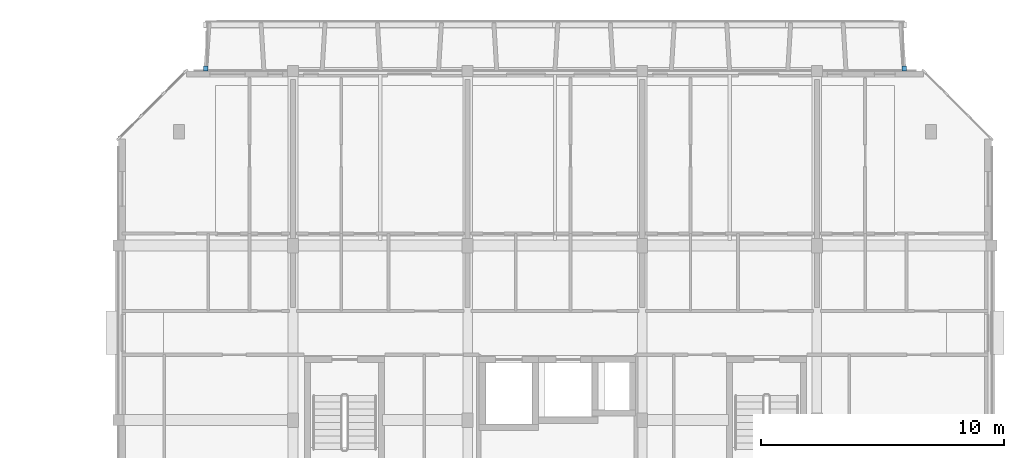
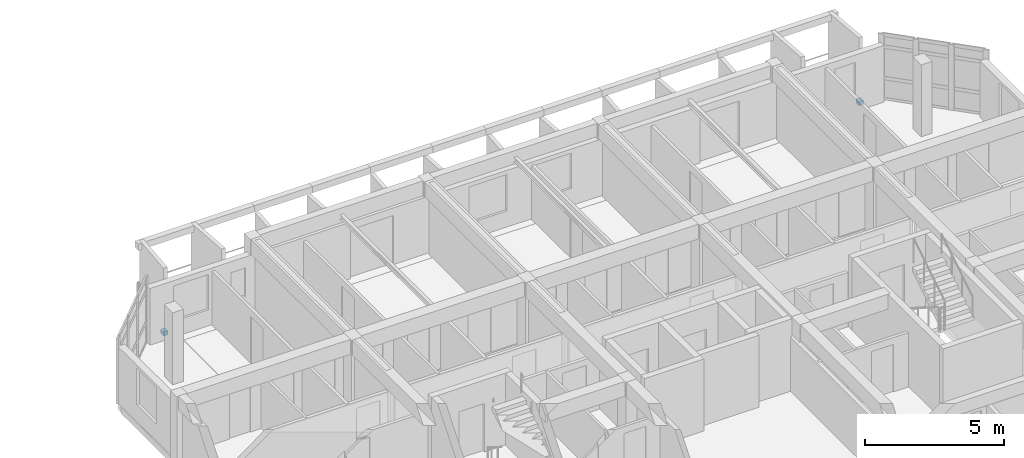
# One storey, part 35 of 43: 2 discrete accessories.
"""IFC4 building model written with IfcOpenShell, lengths in metres."""

from ifc_helpers import new_model, si_unit, direction, frame, origin, origin_2d, place, context, subcontext, project, spatial, rectangle, extrude, material, type_object, element, save


model = new_model("IFC4")

# Units and contexts
model_context = context("Model", 3, precision=1e-05, world=origin(), true_north=direction((0.0, 1.0)))
body_context = subcontext(model_context, "Body", "Model", "MODEL_VIEW")
ifc_project = project(units=[si_unit("LENGTHUNIT", "METRE"), si_unit("AREAUNIT", "SQUARE_METRE"), si_unit("VOLUMEUNIT", "CUBIC_METRE"), si_unit("PLANEANGLEUNIT", "RADIAN"), si_unit("MASSUNIT", "GRAM", prefix="KILO")], contexts=[model_context])

# Site, building, storey
site_placement = place(None, origin())
site = spatial("IfcSite", under=ifc_project, at=site_placement, CompositionType="ELEMENT")
building_placement = place(site_placement, origin())
building = spatial("IfcBuilding", under=site, at=building_placement, Name="Ochrevale Crest", CompositionType="ELEMENT")
storey_placement = place(building_placement, frame((0.0, 0.0, 30.75)))
storey = spatial("IfcBuildingStorey", under=building, at=storey_placement, Name="L09", CompositionType="ELEMENT", Elevation=30.75)

# Discrete accessories
ifc_material = material(Name="Galvanised steel", Category="steel")
discrete_accessory_type = type_object("IfcDiscreteAccessoryType", Name="ACC-BRK-HC", PredefinedType="BRACKET", material=ifc_material)
for number, where, z_axis, x_axis, name in (
    (1, (133.199951171875, 93.699951171875, 0.0), (0.0, 0.0, 1.0), (1.0, 0.0, 0.0), "Block D L09 precast loggia corbel bracket"),
    (2, (162.0, 93.699951171875, 0.0), (0.0, 0.0, 1.0), (1.0, 0.0, 0.0), "Block D L09 precast loggia corbel bracket"),
):
    element("IfcDiscreteAccessory", number, at=place(storey_placement, frame(where, z_axis=z_axis, x_axis=x_axis)), inside=storey, type_object=discrete_accessory_type, Name=name, PredefinedType="BRACKET", context=body_context, shape_type="SweptSolid", body=[
        extrude(rectangle(XDim=0.179931640625, YDim=0.219970703125, at=origin_2d()), origin(), (0.0, 0.0, 1.0), 0.179931640625),
    ])

save(model, "model.ifc")
